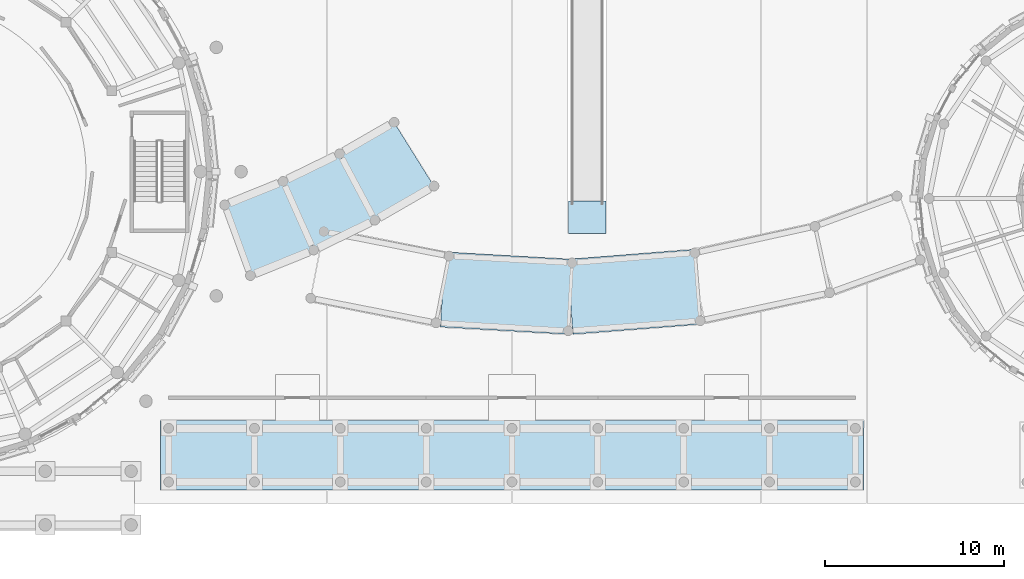
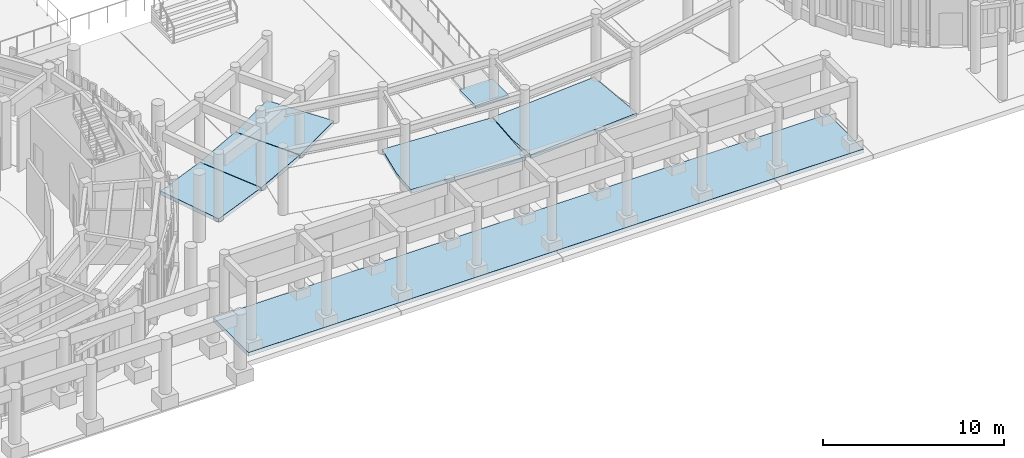
# One storey, part 36 of 94: 7 slabs.
"""IFC4 building model written with IfcOpenShell, lengths in metres."""

from ifc_helpers import new_model, si_unit, direction, frame, origin, place, context, subcontext, project, spatial, polyline, outline, extrude, material, layer, layer_set, type_object, element, save


model = new_model("IFC4")

# Units and contexts
model_context = context("Model", 3, precision=1e-05, world=origin(), true_north=direction((0.0, 1.0)))
body_context = subcontext(model_context, "Body", "Model", "MODEL_VIEW")
ifc_project = project(units=[si_unit("LENGTHUNIT", "METRE"), si_unit("AREAUNIT", "SQUARE_METRE"), si_unit("VOLUMEUNIT", "CUBIC_METRE"), si_unit("PLANEANGLEUNIT", "RADIAN"), si_unit("MASSUNIT", "GRAM", prefix="KILO")], contexts=[model_context])

# Site, building, storey
site_placement = place(None, origin())
site = spatial("IfcSite", under=ifc_project, at=site_placement, CompositionType="ELEMENT")
building_placement = place(site_placement, origin())
building = spatial("IfcBuilding", under=site, at=building_placement, Name="Aldenvaro Health Centre", CompositionType="ELEMENT")
storey_placement = place(building_placement, origin())
storey = spatial("IfcBuildingStorey", under=building, at=storey_placement, Name="L00", CompositionType="ELEMENT", Elevation=0.0)

# Slabs
ifc_material = material(Name="Concrete f'c 40 MPa", Category="concrete")
ifc_layer_1 = layer(ifc_material, 0.260009765625, Name="Concrete f'c 40 MPa", Category="concrete")
ifc_layer_set_1 = layer_set([ifc_layer_1], Name="Concrete f'c 40 MPa")
slab_type_1 = type_object("IfcSlabType", Name="SLB-COL-260", PredefinedType="FLOOR", material=ifc_layer_set_1)
slab_1_placement = place(storey_placement, frame((0.0, 0.0, -0.260009765625)))
element("IfcSlab", 1, at=slab_1_placement, inside=storey, type_object=slab_type_1, Name="Colonnade Shaded Walkway Slab 05", PredefinedType="FLOOR", context=body_context, shape_type="SweptSolid", body=[
    extrude(outline(polyline([(107.5, 19.45703125), (109.2080078125, 15.6201171875), (105.674072265625, 14.193115234375), (104.238037109375, 18.138916015625), (107.5, 19.45703125)])), origin(), (0.0, 0.0, 1.0), 0.260009765625),
])
slab_2_placement = place(storey_placement, frame((0.0, 0.0, -0.260009765625)))
element("IfcSlab", 2, at=slab_2_placement, inside=storey, type_object=slab_type_1, Name="Colonnade Shaded Walkway Slab 06", PredefinedType="FLOOR", context=body_context, shape_type="SweptSolid", body=[
    extrude(outline(polyline([(110.660888671875, 20.9990234375), (112.633056640625, 17.291015625), (109.235107421875, 15.633056640625), (107.527099609375, 19.469970703125), (110.660888671875, 20.9990234375)])), origin(), (0.0, 0.0, 1.0), 0.260009765625),
])
slab_3_placement = place(storey_placement, frame((0.0, 0.0, -0.260009765625)))
element("IfcSlab", 3, at=slab_3_placement, inside=storey, type_object=slab_type_1, Name="Colonnade Shaded Walkway Slab 07", PredefinedType="FLOOR", context=body_context, shape_type="SweptSolid", body=[
    extrude(outline(polyline([(113.7080078125, 22.758056640625), (115.93408203125, 19.197021484375), (112.658935546875, 17.305908203125), (110.68701171875, 21.013916015625), (113.7080078125, 22.758056640625)])), origin(), (0.0, 0.0, 1.0), 0.260009765625),
])
slab_4_placement = place(storey_placement, frame((0.0, 0.0, -0.260009765625)))
element("IfcSlab", 4, at=slab_4_placement, inside=storey, type_object=slab_type_1, Name="South East Curved Peristyle Walkway Arc 2 L00 deck slab", PredefinedType="FLOOR", context=body_context, shape_type="SweptSolid", body=[
    extrude(outline(polyline([(123.6708984375, 15.10009765625), (123.428955078125, 10.906005859375), (116.299072265625, 11.31689453125), (116.403076171875, 13.118896484375), (116.867919921875, 15.491943359375), (123.6708984375, 15.10009765625)])), origin(), (0.0, 0.0, 1.0), 0.260009765625),
])
slab_5_placement = place(storey_placement, frame((0.0, 0.0, -0.260009765625)))
element("IfcSlab", 5, at=slab_5_placement, inside=storey, type_object=slab_type_1, Name="South East Curved Peristyle Walkway Arc 3 L00 deck slab", PredefinedType="FLOOR", context=body_context, shape_type="SweptSolid", body=[
    extrude(outline(polyline([(130.50390625, 15.656982421875), (130.833984375, 11.468994140625), (123.715087890625, 10.908935546875), (123.572998046875, 12.708984375), (123.7119140625, 15.1220703125), (130.50390625, 15.656982421875)])), origin(), (0.0, 0.0, 1.0), 0.260009765625),
])
slab_6_placement = place(storey_placement, frame((0.0, 0.0, -0.260009765625)))
element("IfcSlab", 6, at=slab_6_placement, inside=storey, type_object=slab_type_1, Name="South Neoclassical Stoa E Walkway Stylobate", PredefinedType="FLOOR", context=body_context, shape_type="SweptSolid", body=[
    extrude(outline(polyline([(100.64990234375, 2.199951171875), (139.949951171875, 2.199951171875), (139.949951171875, 6.10009765625), (100.64990234375, 6.10009765625), (100.64990234375, 2.199951171875)])), origin(), (0.0, 0.0, 1.0), 0.260009765625),
])
ifc_layer_2 = layer(ifc_material, 0.219970703125, Name="Concrete f'c 40 MPa", Category="concrete")
ifc_layer_set_2 = layer_set([ifc_layer_2], Name="Concrete f'c 40 MPa")
slab_type_2 = type_object("IfcSlabType", Name="SLB-LND-190", PredefinedType="LANDING", material=ifc_layer_set_2)
slab_7_placement = place(storey_placement, frame((0.0, 0.0, -0.219970703125)))
element("IfcSlab", 7, at=slab_7_placement, inside=storey, type_object=slab_type_2, Name="Stepped Foothill Ramp 3 Departure Landing", PredefinedType="LANDING", context=body_context, shape_type="SweptSolid", body=[
    extrude(outline(polyline([(123.449951171875, 16.550048828125), (125.550048828125, 16.550048828125), (125.550048828125, 18.35009765625), (123.449951171875, 18.35009765625), (123.449951171875, 16.550048828125)])), origin(), (0.0, 0.0, 1.0), 0.219970703125),
])

save(model, "model.ifc")
